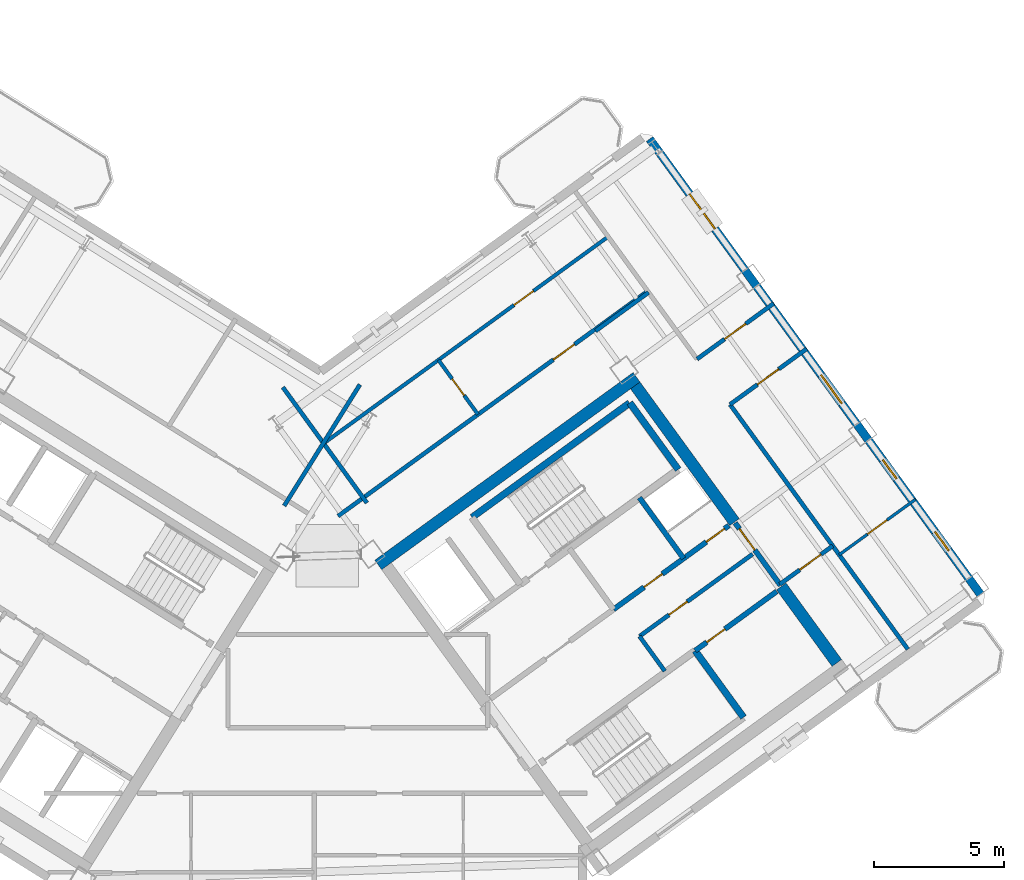
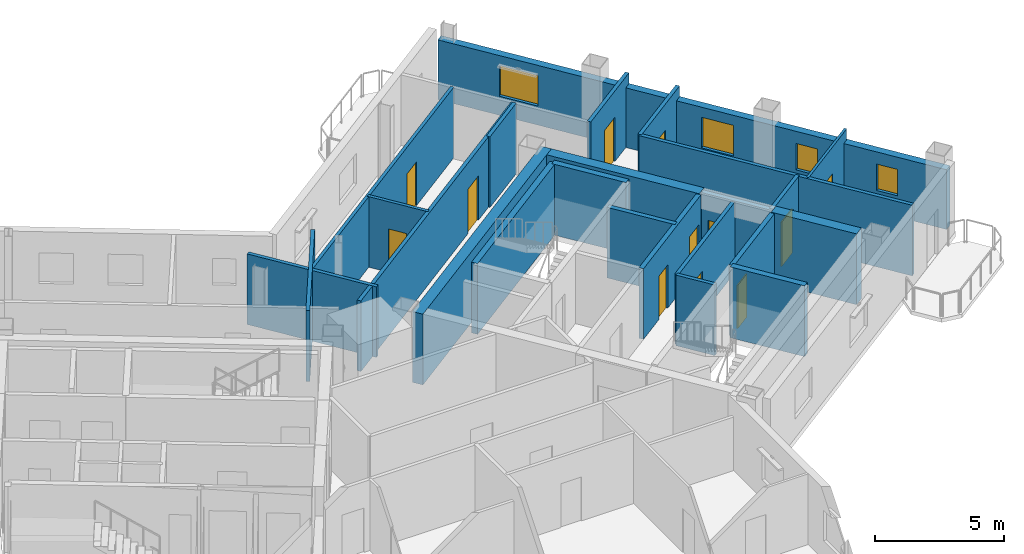
# One storey, part 16 of 23: 24 walls, 12 doors, 4 windows, 16 openings.
"""IFC4 building model written with IfcOpenShell, lengths in metres."""

from ifc_helpers import new_model, si_unit, direction, frame, frame_2d, origin, place, context, subcontext, project, spatial, rectangle, extrude, source, transform, mapped, material, layer, layer_set, type_object, element, fill, save


model = new_model("IFC4")

# Units and contexts
model_context = context("Model", 3, precision=1e-05, world=origin(), true_north=direction((0.0, 1.0)))
body_context = subcontext(model_context, "Body", "Model", "MODEL_VIEW")
ifc_project = project(units=[si_unit("LENGTHUNIT", "METRE"), si_unit("AREAUNIT", "SQUARE_METRE"), si_unit("VOLUMEUNIT", "CUBIC_METRE"), si_unit("PLANEANGLEUNIT", "RADIAN"), si_unit("MASSUNIT", "GRAM", prefix="KILO")], contexts=[model_context])

# Site, building, storey
site_placement = place(None, origin())
site = spatial("IfcSite", under=ifc_project, at=site_placement, CompositionType="ELEMENT")
building_placement = place(site_placement, origin())
building = spatial("IfcBuilding", under=site, at=building_placement, Name="Tlacorven Tower", CompositionType="ELEMENT")
storey_placement = place(building_placement, frame((0.0, 0.0, 218.39990234375)))
storey = spatial("IfcBuildingStorey", under=building, at=storey_placement, Name="L55", CompositionType="ELEMENT", Elevation=218.39990234375)

# Walls
ifc_material_1 = material(Name="Concrete C50/60", Category="concrete")
ifc_layer_1 = layer(ifc_material_1, 0.449951171875)
ifc_layer_set_1 = layer_set([ifc_layer_1], Name="Concrete C50/60")
wall_type_1 = type_object("IfcWallType", Name="WL-COR-450", PredefinedType="SHEAR", material=ifc_layer_set_1)
wall_1_placement = place(storey_placement, frame((44.405517578125, 24.171630859375, 0.0), z_axis=(0.0, 0.0, 1.0), x_axis=(0.809012867805, 0.587790931986, 0.0)))
element("IfcWall", 1, at=wall_1_placement, inside=storey, type_object=wall_type_1, Name="L55 E core shear wall S2", PredefinedType="SHEAR", context=body_context, shape_type="SweptSolid", body=[
    extrude(rectangle(XDim=12.239990234375, YDim=0.449951171875, at=frame_2d((6.1201171875, 0.0))), origin(), (0.0, 0.0, 1.0), 3.35009765625),
])
wall_2_placement = place(storey_placement, frame((61.987548828125, 20.413330078125, 0.0), z_axis=(0.0, 0.0, 1.0), x_axis=(-0.587819244441, 0.808992296542, 0.0)))
element("IfcWall", 2, at=wall_2_placement, inside=storey, type_object=wall_type_1, Name="L55 E core end wall E2.1", PredefinedType="SHEAR", context=body_context, shape_type="SweptSolid", body=[
    extrude(rectangle(XDim=3.625, YDim=0.449951171875, at=frame_2d((1.8125, 0.0))), origin(), (0.0, 0.0, 1.0), 3.35009765625),
])
wall_3_placement = place(storey_placement, frame((58.06396484375, 25.8134765625, 0.0), z_axis=(0.0, 0.0, 1.0), x_axis=(-0.587774812919, 0.809024578921, 0.0)))
element("IfcWall", 3, at=wall_3_placement, inside=storey, type_object=wall_type_1, Name="L55 E core end wall E2.2", PredefinedType="SHEAR", context=body_context, shape_type="SweptSolid", body=[
    extrude(rectangle(XDim=6.47509765625, YDim=0.449951171875, at=frame_2d((3.237548828125, 0.0))), origin(), (0.0, 0.0, 1.0), 3.35009765625),
])

# Wall, opening, door
ifc_material_2 = material(Name="Gypsum plasterboard acoustic partition", Category="gypsum")
ifc_layer_2 = layer(ifc_material_2, 0.159912109375)
ifc_layer_set_2 = layer_set([ifc_layer_2], Name="Gypsum plasterboard acoustic partition")
wall_type_2 = type_object("IfcWallType", Name="WL-DEM-160", PredefinedType="PARTITIONING", material=ifc_layer_set_2)
wall_4_placement = place(storey_placement, frame((54.421142578125, 21.436279296875, 0.0), z_axis=(0.0, 0.0, 1.0), x_axis=(0.809013710463, 0.587789772183, 0.0)))
wall_4 = element("IfcWall", 4, at=wall_4_placement, inside=storey, type_object=wall_type_2, Name="L55 partition 31", PredefinedType="PARTITIONING", context=body_context, shape_type="SweptSolid", body=[
    extrude(rectangle(XDim=5.360107421875, YDim=0.159912109375, at=frame_2d((2.68017578125, 0.0))), origin(), (0.0, 0.0, 1.0), 3.340087890625),
])
opening_1_placement = place(wall_4_placement, frame((1.39990234375, 0.0, 0.0)))
opening_1 = element("IfcOpeningElement", 5, at=opening_1_placement, cuts=wall_4, Name="Opening D19", PredefinedType="OPENING", context=body_context, shape_type="SweptSolid", body=[
    extrude(rectangle(XDim=0.860107421875, YDim=2.050048828125, at=frame_2d((0.43017578125, 1.02490234375))), frame((0.0, 0.08984375, 0.0), z_axis=(0.0, -1.0, 0.0), x_axis=(1.0, 0.0, 0.0)), (0.0, 0.0, 1.0), 0.179931640625),
])
ifc_material_3 = material(Name="Fire-rated steel door assembly", Category="steel")
door_type_1 = type_object("IfcDoorType", Name="DR-RSR-FD60-0860", OperationType="NOTDEFINED", PredefinedType="DOOR", material=ifc_material_3)
shared_shape_1 = source(origin(), body_context, "Body", "SweptSolid", [
    extrude(rectangle(XDim=0.860107421875, YDim=2.050048828125, at=frame_2d((0.43017578125, 1.02490234375))), frame((0.0, 0.02490234375, 0.0), z_axis=(0.0, -1.0, 0.0), x_axis=(1.0, 0.0, 0.0)), (0.0, 0.0, 1.0), 0.050048828125),
])
door_1_placement = place(opening_1_placement, origin())
door_1 = element("IfcDoor", 6, at=door_1_placement, inside=storey, type_object=door_type_1, Name="L55 Freed Core Store Door", OperationType="SINGLE_SWING_RIGHT", OverallHeight=2.050048828125, OverallWidth=0.860107421875, PredefinedType="DOOR", context=body_context, shape_type="MappedRepresentation", body=[
    mapped(shared_shape_1, transform((0.0, 0.0, 0.0), scale=1.0)),
])
fill(opening_1, door_1)

# Walls
wall_5_placement = place(storey_placement, frame((55.390869140625, 20.1015625, 0.0), z_axis=(0.0, 0.0, 1.0), x_axis=(-0.58778447739, 0.809017557374, 0.0)))
element("IfcWall", 7, at=wall_5_placement, inside=storey, type_object=wall_type_2, Name="L55 partition 32", PredefinedType="PARTITIONING", context=body_context, shape_type="SweptSolid", body=[
    extrude(rectangle(XDim=1.64990234375, YDim=0.159912109375, at=frame_2d((0.824951171875, 0.0))), origin(), (0.0, 0.0, 1.0), 3.340087890625),
])
wall_6_placement = place(storey_placement, frame((43.70361328125, 31.086181640625, 0.0), z_axis=(0.0, 0.0, 1.0), x_axis=(-0.529906828443, -0.848055866774, 0.0)))
element("IfcWall", 8, at=wall_6_placement, inside=storey, type_object=wall_type_2, Name="L55 WC West Throat Wall", PredefinedType="PARTITIONING", context=body_context, shape_type="SweptSolid", body=[
    extrude(rectangle(XDim=5.479736328125, YDim=0.159912109375, at=frame_2d((2.73974609375, 0.0))), origin(), (0.0, 0.0, 1.0), 3.340087890625),
])

# Wall, opening, door
wall_7_placement = place(storey_placement, frame((59.7978515625, 23.427001953125, 0.0), z_axis=(0.0, 0.0, 1.0), x_axis=(0.809034604122, 0.587761013791, 0.0)))
wall_7 = element("IfcWall", 9, at=wall_7_placement, inside=storey, type_object=wall_type_2, Name="L55 partition 78", PredefinedType="PARTITIONING", context=body_context, shape_type="SweptSolid", body=[
    extrude(rectangle(XDim=2.510009765625, YDim=0.159912109375, at=frame_2d((1.2548828125, 0.0))), origin(), (0.0, 0.0, 1.0), 3.340087890625),
])
opening_2_placement = place(wall_7_placement, frame((0.949951171875, 0.0, 0.0)))
opening_2 = element("IfcOpeningElement", 10, at=opening_2_placement, cuts=wall_7, Name="Opening D11", PredefinedType="OPENING", context=body_context, shape_type="SweptSolid", body=[
    extrude(rectangle(XDim=1.0, YDim=2.10009765625, at=frame_2d((0.5, 1.050048828125))), frame((0.0, 0.08984375, 0.0), z_axis=(0.0, -1.0, 0.0), x_axis=(1.0, 0.0, 0.0)), (0.0, 0.0, 1.0), 0.179931640625),
])
door_type_2 = type_object("IfcDoorType", Name="DR-FLT-FD60-1000", OperationType="NOTDEFINED", PredefinedType="DOOR", material=ifc_material_3)
shared_shape_2 = source(origin(), body_context, "Body", "SweptSolid", [
    extrude(rectangle(XDim=1.0, YDim=2.10009765625, at=frame_2d((0.5, 1.050048828125))), frame((0.0, 0.02490234375, 0.0), z_axis=(0.0, -1.0, 0.0), x_axis=(1.0, 0.0, 0.0)), (0.0, 0.0, 1.0), 0.050048828125),
])
door_2_placement = place(opening_2_placement, frame((1.0, 0.0, 0.0), z_axis=(0.0, 0.0, 1.0), x_axis=(-1.0, 0.0, 0.0)))
door_2 = element("IfcDoor", 11, at=door_2_placement, inside=storey, type_object=door_type_2, Name="L55 door 053", OperationType="SINGLE_SWING_LEFT", OverallHeight=2.10009765625, OverallWidth=1.0, PredefinedType="DOOR", context=body_context, shape_type="MappedRepresentation", body=[
    mapped(shared_shape_2, transform((0.0, 0.0, 0.0), scale=1.0)),
])
fill(opening_2, door_2)

# Walls
wall_8_placement = place(storey_placement, frame((52.73876953125, 33.143310546875, 0.0), z_axis=(0.0, 0.0, 1.0), x_axis=(0.809000999347, 0.58780726693, 0.0)))
element("IfcWall", 12, at=wall_8_placement, inside=storey, type_object=wall_type_2, Name="L55 partition 79", PredefinedType="PARTITIONING", context=body_context, shape_type="SweptSolid", body=[
    extrude(rectangle(XDim=2.510009765625, YDim=0.159912109375, at=frame_2d((1.2548828125, 0.0))), origin(), (0.0, 0.0, 1.0), 3.340087890625),
])
wall_9_placement = place(storey_placement, frame((64.708740234375, 20.93798828125, 0.0), z_axis=(0.0, 0.0, 1.0), x_axis=(-0.587781191743, 0.809019944521, 0.0)))
element("IfcWall", 13, at=wall_9_placement, inside=storey, type_object=wall_type_2, Name="L55 partition 80", PredefinedType="PARTITIONING", context=body_context, shape_type="SweptSolid", body=[
    extrude(rectangle(XDim=11.60009765625, YDim=0.159912109375, at=frame_2d((5.800048828125, 0.0))), origin(), (0.0, 0.0, 1.0), 3.340087890625),
])

# Wall, opening, door
wall_10_placement = place(storey_placement, frame((57.890380859375, 30.32275390625, 0.0), z_axis=(0.0, 0.0, 1.0), x_axis=(0.809035546126, 0.58775971715, 0.0)))
wall_10 = element("IfcWall", 14, at=wall_10_placement, inside=storey, type_object=wall_type_2, Name="L55 partition 83", PredefinedType="PARTITIONING", context=body_context, shape_type="SweptSolid", body=[
    extrude(rectangle(XDim=3.6298828125, YDim=0.159912109375, at=frame_2d((1.81494140625, 0.0))), origin(), (0.0, 0.0, 1.0), 3.340087890625),
])
opening_3_placement = place(wall_10_placement, frame((1.304931640625, 0.0, 0.0)))
opening_3 = element("IfcOpeningElement", 15, at=opening_3_placement, cuts=wall_10, Name="Opening D11", PredefinedType="OPENING", context=body_context, shape_type="SweptSolid", body=[
    extrude(rectangle(XDim=1.0, YDim=2.10009765625, at=frame_2d((0.5, 1.050048828125))), frame((0.0, 0.08984375, 0.0), z_axis=(0.0, -1.0, 0.0), x_axis=(1.0, 0.0, 0.0)), (0.0, 0.0, 1.0), 0.179931640625),
])
door_3_placement = place(opening_3_placement, origin())
door_3 = element("IfcDoor", 16, at=door_3_placement, inside=storey, type_object=door_type_2, Name="L55 door 056", OperationType="SINGLE_SWING_RIGHT", OverallHeight=2.10009765625, OverallWidth=1.0, PredefinedType="DOOR", context=body_context, shape_type="MappedRepresentation", body=[
    mapped(shared_shape_2, transform((0.0, 0.0, 0.0), scale=1.0)),
])
fill(opening_3, door_3)

wall_11_placement = place(storey_placement, frame((56.626708984375, 32.06201171875, 0.0), z_axis=(0.0, 0.0, 1.0), x_axis=(0.809003564202, 0.587803736896, 0.0)))
wall_11 = element("IfcWall", 17, at=wall_11_placement, inside=storey, type_object=wall_type_2, Name="L55 partition 84", PredefinedType="PARTITIONING", context=body_context, shape_type="SweptSolid", body=[
    extrude(rectangle(XDim=3.630126953125, YDim=0.159912109375, at=frame_2d((1.81494140625, 0.0))), origin(), (0.0, 0.0, 1.0), 3.340087890625),
])
opening_4_placement = place(wall_11_placement, frame((1.304931640625, 0.0, 0.0)))
opening_4 = element("IfcOpeningElement", 18, at=opening_4_placement, cuts=wall_11, Name="Opening D11", PredefinedType="OPENING", context=body_context, shape_type="SweptSolid", body=[
    extrude(rectangle(XDim=1.0, YDim=2.10009765625, at=frame_2d((0.5, 1.050048828125))), frame((0.0, 0.08984375, 0.0), z_axis=(0.0, -1.0, 0.0), x_axis=(1.0, 0.0, 0.0)), (0.0, 0.0, 1.0), 0.179931640625),
])
door_4_placement = place(opening_4_placement, origin())
door_4 = element("IfcDoor", 19, at=door_4_placement, inside=storey, type_object=door_type_2, Name="L55 door 055", OperationType="SINGLE_SWING_LEFT", OverallHeight=2.10009765625, OverallWidth=1.0, PredefinedType="DOOR", context=body_context, shape_type="MappedRepresentation", body=[
    mapped(shared_shape_2, transform((0.0, 0.0, 0.0), scale=1.0)),
])
fill(opening_4, door_4)

wall_12_placement = place(storey_placement, frame((42.86572265625, 26.04443359375, 0.0), z_axis=(0.0, 0.0, 1.0), x_axis=(0.809020254154, 0.587780765566, 0.0)))
wall_12 = element("IfcWall", 20, at=wall_12_placement, inside=storey, type_object=wall_type_2, Name="L55 partition 86", PredefinedType="PARTITIONING", context=body_context, shape_type="SweptSolid", body=[
    extrude(rectangle(XDim=14.670166015625, YDim=0.159912109375, at=frame_2d((7.3349609375, 0.0))), origin(), (0.0, 0.0, 1.0), 3.340087890625),
])
opening_5_placement = place(wall_12_placement, frame((10.199951171875, 0.0, 0.0)))
opening_5 = element("IfcOpeningElement", 21, at=opening_5_placement, cuts=wall_12, Name="Opening D11", PredefinedType="OPENING", context=body_context, shape_type="SweptSolid", body=[
    extrude(rectangle(XDim=1.0, YDim=2.10009765625, at=frame_2d((0.5, 1.050048828125))), frame((0.0, 0.08984375, 0.0), z_axis=(0.0, -1.0, 0.0), x_axis=(1.0, 0.0, 0.0)), (0.0, 0.0, 1.0), 0.179931640625),
])
door_5_placement = place(opening_5_placement, origin())
door_5 = element("IfcDoor", 22, at=door_5_placement, inside=storey, type_object=door_type_2, Name="L55 door 058", OperationType="SINGLE_SWING_RIGHT", OverallHeight=2.10009765625, OverallWidth=1.0, PredefinedType="DOOR", context=body_context, shape_type="MappedRepresentation", body=[
    mapped(shared_shape_2, transform((0.0, 0.0, 0.0), scale=1.0)),
])
fill(opening_5, door_5)

# Wall
wall_13_placement = place(storey_placement, frame((43.969482421875, 26.549560546875, 0.0), z_axis=(0.0, 0.0, 1.0), x_axis=(-0.587776919386, 0.80902304852, 0.0)))
element("IfcWall", 23, at=wall_13_placement, inside=storey, type_object=wall_type_2, Name="L55 EC West Throat Wall", PredefinedType="PARTITIONING", context=body_context, shape_type="SweptSolid", body=[
    extrude(rectangle(XDim=5.47998046875, YDim=0.159912109375, at=frame_2d((2.739990234375, 0.0))), origin(), (0.0, 0.0, 1.0), 3.340087890625),
])

# Wall, openings, windows
ifc_material_4 = material(Name="Precast concrete C45/55", Category="concrete")
ifc_layer_3 = layer(ifc_material_4, 0.320068359375)
ifc_layer_set_3 = layer_set([ifc_layer_3], Name="Precast concrete C45/55")
wall_type_3 = type_object("IfcWallType", Name="WL-EXT-320", PredefinedType="STANDARD", material=ifc_layer_set_3)
wall_14_placement = place(storey_placement, frame((54.810302734375, 40.49951171875, 0.0), z_axis=(0.0, 0.0, 1.0), x_axis=(0.587783625747, -0.809018176127, 0.0)))
wall_14 = element("IfcWall", 24, at=wall_14_placement, inside=storey, type_object=wall_type_3, Name="L55 Masonry-Frame Recessed Facade Wall 5", PredefinedType="STANDARD", context=body_context, shape_type="SweptSolid", body=[
    extrude(rectangle(XDim=21.58740234375, YDim=0.320068359375, at=frame_2d((10.793701171875, 0.0))), origin(), (0.0, 0.0, 1.0), 2.8251953125),
])
opening_6_placement = place(wall_14_placement, frame((2.606201171875, 0.0, 0.89990234375)))
opening_6 = element("IfcOpeningElement", 25, at=opening_6_placement, cuts=wall_14, Name="Opening WN07", PredefinedType="OPENING", context=body_context, shape_type="SweptSolid", body=[
    extrude(rectangle(XDim=1.64990234375, YDim=1.449951171875, at=frame_2d((0.824951171875, 0.72509765625))), frame((0.0, 0.169921875, 0.0), z_axis=(0.0, -1.0, 0.0), x_axis=(1.0, 0.0, 0.0)), (0.0, 0.0, 1.0), 0.340087890625),
])
opening_7_placement = place(wall_14_placement, frame((11.18359375, 0.0, 0.89990234375)))
opening_7 = element("IfcOpeningElement", 26, at=opening_7_placement, cuts=wall_14, Name="Opening WN08", PredefinedType="OPENING", context=body_context, shape_type="SweptSolid", body=[
    extrude(rectangle(XDim=1.35009765625, YDim=1.449951171875, at=frame_2d((0.675048828125, 0.72509765625))), frame((0.0, 0.169921875, 0.0), z_axis=(0.0, -1.0, 0.0), x_axis=(1.0, 0.0, 0.0)), (0.0, 0.0, 1.0), 0.340087890625),
])
opening_8_placement = place(wall_14_placement, frame((15.2021484375, 0.0, 1.0)))
opening_8 = element("IfcOpeningElement", 27, at=opening_8_placement, cuts=wall_14, Name="Opening WN05", PredefinedType="OPENING", context=body_context, shape_type="SweptSolid", body=[
    extrude(rectangle(XDim=0.89990234375, YDim=1.25, at=frame_2d((0.449951171875, 0.625))), frame((0.0, 0.169921875, 0.0), z_axis=(0.0, -1.0, 0.0), x_axis=(1.0, 0.0, 0.0)), (0.0, 0.0, 1.0), 0.340087890625),
])
opening_9_placement = place(wall_14_placement, frame((18.607177734375, 0.0, 1.0)))
opening_9 = element("IfcOpeningElement", 28, at=opening_9_placement, cuts=wall_14, Name="Opening WN05", PredefinedType="OPENING", context=body_context, shape_type="SweptSolid", body=[
    extrude(rectangle(XDim=0.89990234375, YDim=1.25, at=frame_2d((0.449951171875, 0.625))), frame((0.0, 0.169921875, 0.0), z_axis=(0.0, -1.0, 0.0), x_axis=(1.0, 0.0, 0.0)), (0.0, 0.0, 1.0), 0.340087890625),
])
ifc_material_5 = material(Name="Dark solar low-E double glazing in anodised aluminium frame", Category="aluminium")
window_type_1 = type_object("IfcWindowType", Name="WN-APT-0900X1350", PartitioningType="SINGLE_PANEL", PredefinedType="WINDOW", material=ifc_material_5)
shared_shape_3 = source(origin(), body_context, "Body", "SweptSolid", [
    extrude(rectangle(XDim=0.89990234375, YDim=1.25, at=frame_2d((0.449951171875, 0.625))), frame((0.0, 0.030029296875, 0.0), z_axis=(0.0, -1.0, 0.0), x_axis=(1.0, 0.0, 0.0)), (0.0, 0.0, 1.0), 0.06005859375),
])
window_1_placement = place(opening_8_placement, origin())
window_1 = element("IfcWindow", 29, at=window_1_placement, inside=storey, type_object=window_type_1, Name="L55 Recessed Masonry-Frame Window L55-05.3", OverallHeight=1.25, OverallWidth=0.89990234375, PartitioningType="SINGLE_PANEL", PredefinedType="WINDOW", context=body_context, shape_type="MappedRepresentation", body=[
    mapped(shared_shape_3, transform((0.0, 0.0, 0.0), scale=1.0)),
])
fill(opening_8, window_1)
window_2_placement = place(opening_9_placement, origin())
window_2 = element("IfcWindow", 30, at=window_2_placement, inside=storey, type_object=window_type_1, Name="L55 Recessed Masonry-Frame Window L55-05.4", OverallHeight=1.25, OverallWidth=0.89990234375, PartitioningType="SINGLE_PANEL", PredefinedType="WINDOW", context=body_context, shape_type="MappedRepresentation", body=[
    mapped(shared_shape_3, transform((0.0, 0.0, 0.0), scale=1.0)),
])
fill(opening_9, window_2)
window_type_2 = type_object("IfcWindowType", Name="WN-APT-1650X1600", PartitioningType="SINGLE_PANEL", PredefinedType="WINDOW", material=ifc_material_5)
shared_shape_4 = source(origin(), body_context, "Body", "SweptSolid", [
    extrude(rectangle(XDim=1.64990234375, YDim=1.449951171875, at=frame_2d((0.824951171875, 0.72509765625))), frame((0.0, 0.030029296875, 0.0), z_axis=(0.0, -1.0, 0.0), x_axis=(1.0, 0.0, 0.0)), (0.0, 0.0, 1.0), 0.06005859375),
])
window_3_placement = place(opening_6_placement, origin())
window_3 = element("IfcWindow", 31, at=window_3_placement, inside=storey, type_object=window_type_2, Name="L55 Recessed Masonry-Frame Window L55-05.1", OverallHeight=1.449951171875, OverallWidth=1.64990234375, PartitioningType="SINGLE_PANEL", PredefinedType="WINDOW", context=body_context, shape_type="MappedRepresentation", body=[
    mapped(shared_shape_4, transform((0.0, 0.0, 0.0), scale=1.0)),
])
fill(opening_6, window_3)
window_type_3 = type_object("IfcWindowType", Name="WN-APT-1350X1550", PartitioningType="SINGLE_PANEL", PredefinedType="WINDOW", material=ifc_material_5)
shared_shape_5 = source(origin(), body_context, "Body", "SweptSolid", [
    extrude(rectangle(XDim=1.35009765625, YDim=1.449951171875, at=frame_2d((0.675048828125, 0.72509765625))), frame((0.0, 0.030029296875, 0.0), z_axis=(0.0, -1.0, 0.0), x_axis=(1.0, 0.0, 0.0)), (0.0, 0.0, 1.0), 0.06005859375),
])
window_4_placement = place(opening_7_placement, origin())
window_4 = element("IfcWindow", 32, at=window_4_placement, inside=storey, type_object=window_type_3, Name="L55 Recessed Masonry-Frame Window L55-05.2", OverallHeight=1.449951171875, OverallWidth=1.35009765625, PartitioningType="SINGLE_PANEL", PredefinedType="WINDOW", context=body_context, shape_type="MappedRepresentation", body=[
    mapped(shared_shape_5, transform((0.0, 0.0, 0.0), scale=1.0)),
])
fill(opening_7, window_4)

# Wall, opening, door
ifc_material_6 = material(Name="Gypsum plasterboard partition", Category="gypsum")
ifc_layer_4 = layer(ifc_material_6, 0.110107421875)
ifc_layer_set_4 = layer_set([ifc_layer_4], Name="Gypsum plasterboard partition")
wall_type_4 = type_object("IfcWallType", Name="WL-INT-110", PredefinedType="PARTITIONING", material=ifc_layer_set_4)
wall_15_placement = place(storey_placement, frame((62.07666015625, 24.560791015625, 0.0), z_axis=(0.0, 0.0, 1.0), x_axis=(0.809005039917, 0.58780170584, 0.0)))
wall_15 = element("IfcWall", 33, at=wall_15_placement, inside=storey, type_object=wall_type_4, Name="L55 partition 85", PredefinedType="PARTITIONING", context=body_context, shape_type="SweptSolid", body=[
    extrude(rectangle(XDim=3.610107421875, YDim=0.110107421875, at=frame_2d((1.80517578125, 0.0))), origin(), (0.0, 0.0, 1.0), 3.340087890625),
])
opening_10_placement = place(wall_15_placement, frame((1.344970703125, 0.0, 0.0)))
opening_10 = element("IfcOpeningElement", 34, at=opening_10_placement, cuts=wall_15, Name="Opening D12", PredefinedType="OPENING", context=body_context, shape_type="SweptSolid", body=[
    extrude(rectangle(XDim=0.919921875, YDim=2.080078125, at=frame_2d((0.4599609375, 1.0400390625))), frame((0.0, 0.06494140625, 0.0), z_axis=(0.0, -1.0, 0.0), x_axis=(1.0, 0.0, 0.0)), (0.0, 0.0, 1.0), 0.130126953125),
])
ifc_material_7 = material(Name="Powder-coated aluminium and timber door", Category="wood")
door_type_3 = type_object("IfcDoorType", Name="DR-INT-ROOM-0920", OperationType="NOTDEFINED", PredefinedType="DOOR", material=ifc_material_7)
shared_shape_6 = source(origin(), body_context, "Body", "SweptSolid", [
    extrude(rectangle(XDim=0.919921875, YDim=2.080078125, at=frame_2d((0.4599609375, 1.0400390625))), frame((0.0, 0.02490234375, 0.0), z_axis=(0.0, -1.0, 0.0), x_axis=(1.0, 0.0, 0.0)), (0.0, 0.0, 1.0), 0.050048828125),
])
door_6_placement = place(opening_10_placement, origin())
door_6 = element("IfcDoor", 35, at=door_6_placement, inside=storey, type_object=door_type_3, Name="L55 door 057", OperationType="SINGLE_SWING_LEFT", OverallHeight=2.080078125, OverallWidth=0.919921875, PredefinedType="DOOR", context=body_context, shape_type="MappedRepresentation", body=[
    mapped(shared_shape_6, transform((0.0, 0.0, 0.0), scale=1.0)),
])
fill(opening_10, door_6)

ifc_material_8 = material(Name="Moisture-resistant gypsum plumbing wall", Category="gypsum")
ifc_layer_5 = layer(ifc_material_8, 0.139892578125)
ifc_layer_set_5 = layer_set([ifc_layer_5], Name="Moisture-resistant gypsum plumbing wall")
wall_type_5 = type_object("IfcWallType", Name="WL-PLM-140", PredefinedType="PLUMBINGWALL", material=ifc_layer_set_5)
wall_16_placement = place(storey_placement, frame((42.376708984375, 28.878173828125, 0.0), z_axis=(0.0, 0.0, 1.0), x_axis=(0.809020411523, 0.587780548963, 0.0)))
wall_16 = element("IfcWall", 36, at=wall_16_placement, inside=storey, type_object=wall_type_5, Name="L55 partition 88", PredefinedType="PLUMBINGWALL", context=body_context, shape_type="SweptSolid", body=[
    extrude(rectangle(XDim=13.39990234375, YDim=0.139892578125, at=frame_2d((6.699951171875, 0.0))), origin(), (0.0, 0.0, 1.0), 3.340087890625),
])
opening_11_placement = place(wall_16_placement, frame((8.93994140625, 0.0, 0.0)))
opening_11 = element("IfcOpeningElement", 37, at=opening_11_placement, cuts=wall_16, Name="Opening D12", PredefinedType="OPENING", context=body_context, shape_type="SweptSolid", body=[
    extrude(rectangle(XDim=0.919921875, YDim=2.080078125, at=frame_2d((0.4599609375, 1.0400390625))), frame((0.0, 0.080078125, 0.0), z_axis=(0.0, -1.0, 0.0), x_axis=(1.0, 0.0, 0.0)), (0.0, 0.0, 1.0), 0.159912109375),
])
door_7_placement = place(opening_11_placement, origin())
door_7 = element("IfcDoor", 38, at=door_7_placement, inside=storey, type_object=door_type_3, Name="L55 door 059", OperationType="SINGLE_SWING_LEFT", OverallHeight=2.080078125, OverallWidth=0.919921875, PredefinedType="DOOR", context=body_context, shape_type="MappedRepresentation", body=[
    mapped(shared_shape_6, transform((0.0, 0.0, 0.0), scale=1.0)),
])
fill(opening_11, door_7)

wall_17_placement = place(storey_placement, frame((48.2294921875, 29.94140625, 0.0), z_axis=(0.0, 0.0, 1.0), x_axis=(-0.587772116736, 0.809026537752, 0.0)))
wall_17 = element("IfcWall", 39, at=wall_17_placement, inside=storey, type_object=wall_type_5, Name="L55 partition 89", PredefinedType="PLUMBINGWALL", context=body_context, shape_type="SweptSolid", body=[
    extrude(rectangle(XDim=2.579833984375, YDim=0.139892578125, at=frame_2d((1.2900390625, 0.0))), origin(), (0.0, 0.0, 1.0), 3.340087890625),
])
opening_12_placement = place(wall_17_placement, frame((0.89990234375, 0.0, 0.0)))
opening_12 = element("IfcOpeningElement", 40, at=opening_12_placement, cuts=wall_17, Name="Opening D22", PredefinedType="OPENING", context=body_context, shape_type="SweptSolid", body=[
    extrude(rectangle(XDim=0.780029296875, YDim=2.050048828125, at=frame_2d((0.39013671875, 1.02490234375))), frame((0.0, 0.080078125, 0.0), z_axis=(0.0, -1.0, 0.0), x_axis=(1.0, 0.0, 0.0)), (0.0, 0.0, 1.0), 0.159912109375),
])
door_type_4 = type_object("IfcDoorType", Name="DR-INT-WET-0780", OperationType="NOTDEFINED", PredefinedType="DOOR", material=ifc_material_7)
shared_shape_7 = source(origin(), body_context, "Body", "SweptSolid", [
    extrude(rectangle(XDim=0.780029296875, YDim=2.050048828125, at=frame_2d((0.39013671875, 1.02490234375))), frame((0.0, 0.02490234375, 0.0), z_axis=(0.0, -1.0, 0.0), x_axis=(1.0, 0.0, 0.0)), (0.0, 0.0, 1.0), 0.050048828125),
])
door_8_placement = place(opening_12_placement, origin())
door_8 = element("IfcDoor", 41, at=door_8_placement, inside=storey, type_object=door_type_4, Name="L55 door 060", OperationType="SINGLE_SWING_RIGHT", OverallHeight=2.050048828125, OverallWidth=0.780029296875, PredefinedType="DOOR", context=body_context, shape_type="MappedRepresentation", body=[
    mapped(shared_shape_7, transform((0.0, 0.0, 0.0), scale=1.0)),
])
fill(opening_12, door_8)

ifc_material_9 = material(Name="Concrete C40/50", Category="concrete")
ifc_layer_6 = layer(ifc_material_9, 0.199951171875)
ifc_layer_set_6 = layer_set([ifc_layer_6], Name="Concrete C40/50")
wall_type_6 = type_object("IfcWallType", Name="WL-SHF-200", PredefinedType="STANDARD", material=ifc_layer_set_6)
wall_18_placement = place(storey_placement, frame((56.552978515625, 20.884033203125, 0.0), z_axis=(0.0, 0.0, 1.0), x_axis=(0.809041669066, 0.587751288995, 0.0)))
wall_18 = element("IfcWall", 42, at=wall_18_placement, inside=storey, type_object=wall_type_6, Name="L55 Core E South Lift Shaft Wall", PredefinedType="STANDARD", context=body_context, shape_type="SweptSolid", body=[
    extrude(rectangle(XDim=3.867919921875, YDim=0.199951171875, at=frame_2d((1.93408203125, 0.0))), origin(), (0.0, 0.0, 1.0), 3.340087890625),
])
opening_13_placement = place(wall_18_placement, frame((0.550048828125, 0.0, 0.0)))
opening_13 = element("IfcOpeningElement", 43, at=opening_13_placement, cuts=wall_18, Name="Opening D19", PredefinedType="OPENING", context=body_context, shape_type="SweptSolid", body=[
    extrude(rectangle(XDim=0.860107421875, YDim=2.050048828125, at=frame_2d((0.43017578125, 1.02490234375))), frame((0.0, 0.10986328125, 0.0), z_axis=(0.0, -1.0, 0.0), x_axis=(1.0, 0.0, 0.0)), (0.0, 0.0, 1.0), 0.219970703125),
])
door_9_placement = place(opening_13_placement, origin())
door_9 = element("IfcDoor", 44, at=door_9_placement, inside=storey, type_object=door_type_1, Name="L55 East Telecoms Riser Access Door", OperationType="SINGLE_SWING_LEFT", OverallHeight=2.050048828125, OverallWidth=0.860107421875, PredefinedType="DOOR", context=body_context, shape_type="MappedRepresentation", body=[
    mapped(shared_shape_1, transform((0.0, 0.0, 0.0), scale=1.0)),
])
fill(opening_13, door_9)

# Wall
wall_19_placement = place(storey_placement, frame((56.110595703125, 24.4189453125, 0.0), z_axis=(0.0, 0.0, 1.0), x_axis=(-0.58777848983, 0.809021907548, 0.0)))
element("IfcWall", 45, at=wall_19_placement, inside=storey, type_object=wall_type_6, Name="L55 partition 35", PredefinedType="STANDARD", context=body_context, shape_type="SweptSolid", body=[
    extrude(rectangle(XDim=2.880126953125, YDim=0.199951171875, at=frame_2d((1.43994140625, 0.0))), origin(), (0.0, 0.0, 1.0), 3.340087890625),
])

# Wall, openings, doors
wall_20_placement = place(storey_placement, frame((53.424560546875, 22.467529296875, 0.0), z_axis=(0.0, 0.0, 1.0), x_axis=(0.809015945709, 0.587786695655, 0.0)))
wall_20 = element("IfcWall", 46, at=wall_20_placement, inside=storey, type_object=wall_type_6, Name="L55 Core E North Service Wall", PredefinedType="STANDARD", context=body_context, shape_type="SweptSolid", body=[
    extrude(rectangle(XDim=5.46826171875, YDim=0.199951171875, at=frame_2d((2.734130859375, 0.0))), origin(), (0.0, 0.0, 1.0), 3.340087890625),
])
opening_14_placement = place(wall_20_placement, frame((4.39990234375, 0.0, 0.0)))
opening_14 = element("IfcOpeningElement", 47, at=opening_14_placement, cuts=wall_20, Name="Opening D19", PredefinedType="OPENING", context=body_context, shape_type="SweptSolid", body=[
    extrude(rectangle(XDim=0.860107421875, YDim=2.050048828125, at=frame_2d((0.43017578125, 1.02490234375))), frame((0.0, 0.10986328125, 0.0), z_axis=(0.0, -1.0, 0.0), x_axis=(1.0, 0.0, 0.0)), (0.0, 0.0, 1.0), 0.219970703125),
])
opening_15_placement = place(wall_20_placement, frame((1.449951171875, 0.0, 0.0)))
opening_15 = element("IfcOpeningElement", 48, at=opening_15_placement, cuts=wall_20, Name="Opening D19", PredefinedType="OPENING", context=body_context, shape_type="SweptSolid", body=[
    extrude(rectangle(XDim=0.860107421875, YDim=2.050048828125, at=frame_2d((0.43017578125, 1.02490234375))), frame((0.0, 0.10986328125, 0.0), z_axis=(0.0, -1.0, 0.0), x_axis=(1.0, 0.0, 0.0)), (0.0, 0.0, 1.0), 0.219970703125),
])
door_10_placement = place(opening_14_placement, frame((0.860107421875, 0.0, 0.0), z_axis=(0.0, 0.0, 1.0), x_axis=(-1.0, 0.0, 0.0)))
door_10 = element("IfcDoor", 49, at=door_10_placement, inside=storey, type_object=door_type_1, Name="L55 Electrical Riser Access Door E", OperationType="SINGLE_SWING_RIGHT", OverallHeight=2.050048828125, OverallWidth=0.860107421875, PredefinedType="DOOR", context=body_context, shape_type="MappedRepresentation", body=[
    mapped(shared_shape_1, transform((0.0, 0.0, 0.0), scale=1.0)),
])
fill(opening_14, door_10)
door_11_placement = place(opening_15_placement, frame((0.860107421875, 0.0, 0.0), z_axis=(0.0, 0.0, 1.0), x_axis=(-1.0, 0.0, 0.0)))
door_11 = element("IfcDoor", 50, at=door_11_placement, inside=storey, type_object=door_type_1, Name="L55 Housekeeping Linen Access Door E", OperationType="SINGLE_SWING_LEFT", OverallHeight=2.050048828125, OverallWidth=0.860107421875, PredefinedType="DOOR", context=body_context, shape_type="MappedRepresentation", body=[
    mapped(shared_shape_1, transform((0.0, 0.0, 0.0), scale=1.0)),
])
fill(opening_15, door_11)

# Wall, opening, door
wall_21_placement = place(storey_placement, frame((59.827392578125, 23.386474609375, 0.0), z_axis=(0.0, 0.0, 1.0), x_axis=(-0.587803840107, 0.809003489211, 0.0)))
wall_21 = element("IfcWall", 51, at=wall_21_placement, inside=storey, type_object=wall_type_6, Name="L55 partition 77", PredefinedType="STANDARD", context=body_context, shape_type="SweptSolid", body=[
    extrude(rectangle(XDim=2.960205078125, YDim=0.199951171875, at=frame_2d((1.47998046875, 0.0))), origin(), (0.0, 0.0, 1.0), 3.340087890625),
])
opening_16_placement = place(wall_21_placement, frame((1.679931640625, 0.0, 0.0)))
opening_16 = element("IfcOpeningElement", 52, at=opening_16_placement, cuts=wall_21, Name="Opening D11", PredefinedType="OPENING", context=body_context, shape_type="SweptSolid", body=[
    extrude(rectangle(XDim=1.0, YDim=2.10009765625, at=frame_2d((0.5, 1.050048828125))), frame((0.0, 0.10986328125, 0.0), z_axis=(0.0, -1.0, 0.0), x_axis=(1.0, 0.0, 0.0)), (0.0, 0.0, 1.0), 0.219970703125),
])
door_12_placement = place(opening_16_placement, origin())
door_12 = element("IfcDoor", 53, at=door_12_placement, inside=storey, type_object=door_type_2, Name="L55 door 054", OperationType="SINGLE_SWING_RIGHT", OverallHeight=2.10009765625, OverallWidth=1.0, PredefinedType="DOOR", context=body_context, shape_type="MappedRepresentation", body=[
    mapped(shared_shape_2, transform((0.0, 0.0, 0.0), scale=1.0)),
])
fill(opening_16, door_12)

# Walls
ifc_layer_7 = layer(ifc_material_1, 0.260009765625)
ifc_layer_set_7 = layer_set([ifc_layer_7], Name="Concrete C50/60")
wall_type_7 = type_object("IfcWallType", Name="WL-STW-260", PredefinedType="SHEAR", material=ifc_layer_set_7)
wall_22_placement = place(storey_placement, frame((48.005615234375, 25.996337890625, 0.0), z_axis=(0.0, 0.0, 1.0), x_axis=(0.80901903764, 0.587782439969, 0.0)))
element("IfcWall", 54, at=wall_22_placement, inside=storey, type_object=wall_type_7, Name="L55 Stair E1 Far Shear Wall", PredefinedType="SHEAR", context=body_context, shape_type="SweptSolid", body=[
    extrude(rectangle(XDim=7.4599609375, YDim=0.260009765625, at=frame_2d((3.72998046875, 0.0))), origin(), (0.0, 0.0, 1.0), 3.35009765625),
])
wall_23_placement = place(storey_placement, frame((55.906494140625, 27.83056640625, 0.0), z_axis=(0.0, 0.0, 1.0), x_axis=(-0.587804123638, 0.809003283204, 0.0)))
element("IfcWall", 55, at=wall_23_placement, inside=storey, type_object=wall_type_7, Name="L55 Stair E1 East Shear Wall", PredefinedType="SHEAR", context=body_context, shape_type="SweptSolid", body=[
    extrude(rectangle(XDim=3.159912109375, YDim=0.260009765625, at=frame_2d((1.580078125, 0.0))), origin(), (0.0, 0.0, 1.0), 3.35009765625),
])
wall_24_placement = place(storey_placement, frame((58.410400390625, 18.327392578125, 0.0), z_axis=(0.0, 0.0, 1.0), x_axis=(-0.58776738483, 0.809029975545, 0.0)))
element("IfcWall", 56, at=wall_24_placement, inside=storey, type_object=wall_type_7, Name="L55 Stair E2 East Shear Wall", PredefinedType="SHEAR", context=body_context, shape_type="SweptSolid", body=[
    extrude(rectangle(XDim=3.16015625, YDim=0.260009765625, at=frame_2d((1.580078125, 0.0))), origin(), (0.0, 0.0, 1.0), 3.35009765625),
])

save(model, "model.ifc")
